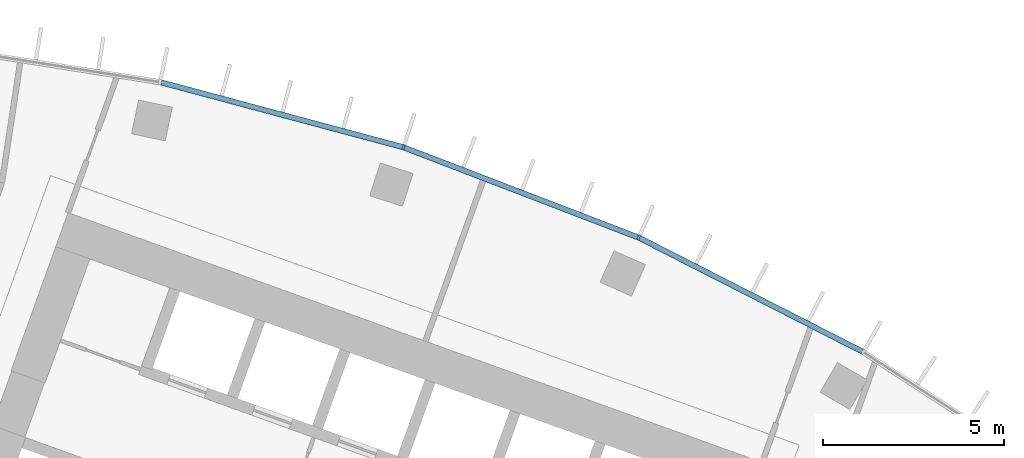
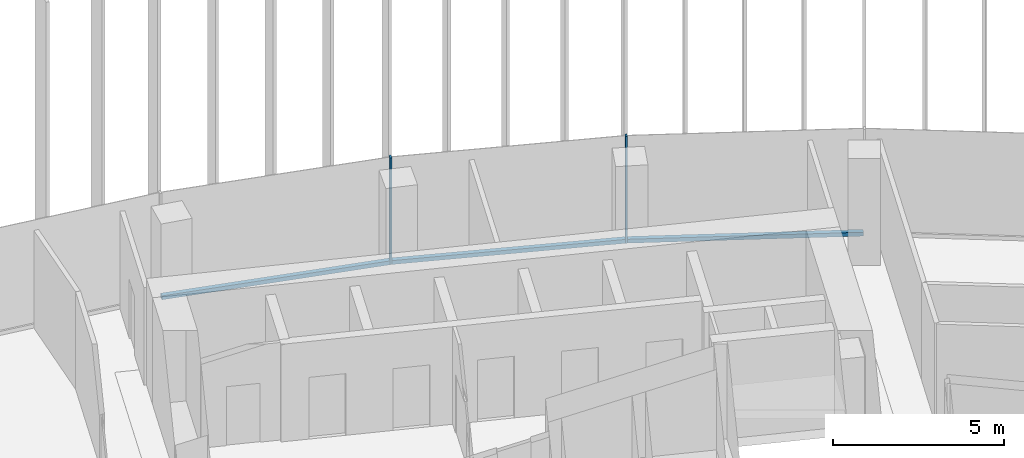
# One storey, part 9 of 20: 5 members, 1 element without a shape of its own.
"""IFC4 building model written with IfcOpenShell, lengths in metres."""

from ifc_helpers import new_model, si_unit, direction, frame, origin, origin_2d, place, context, subcontext, project, spatial, rectangle, extrude, material, layer, layer_set, material_profile, profile_set, type_object, element, aggregate, save


model = new_model("IFC4")

# Units and contexts
model_context = context("Model", 3, precision=1e-05, world=origin(), true_north=direction((0.0, 1.0)))
body_context = subcontext(model_context, "Body", "Model", "MODEL_VIEW")
ifc_project = project(units=[si_unit("LENGTHUNIT", "METRE"), si_unit("AREAUNIT", "SQUARE_METRE"), si_unit("VOLUMEUNIT", "CUBIC_METRE"), si_unit("PLANEANGLEUNIT", "RADIAN"), si_unit("MASSUNIT", "GRAM", prefix="KILO")], contexts=[model_context])

# Site, building, storey
site_placement = place(None, origin())
site = spatial("IfcSite", under=ifc_project, at=site_placement, CompositionType="ELEMENT")
building_placement = place(site_placement, origin())
building = spatial("IfcBuilding", under=site, at=building_placement, Name="Stone Belt Terrace Tower", CompositionType="ELEMENT")
storey_placement = place(building_placement, frame((0.0, 0.0, 201.0)))
storey = spatial("IfcBuildingStorey", under=building, at=storey_placement, Name="L48", CompositionType="ELEMENT", Elevation=201.0)

# Curtain wall, members
ifc_material = material(Name="Aluminium 6063-T6 anodised frame", Category="aluminium")
ifc_layer = layer(ifc_material, 0.14990234375)
ifc_layer_set = layer_set([ifc_layer], Name="CW-A unitised convex-face curtain wall")
curtain_wall_type = type_object("IfcCurtainWallType", Name="CW-A unitised convex-face curtain wall", PredefinedType="NOTDEFINED", material=ifc_layer_set)
curtain_wall_placement = place(storey_placement, origin())
curtain_wall = element("IfcCurtainWall", 1, at=curtain_wall_placement, inside=storey, type_object=curtain_wall_type, Name="CW-A convex face L48", PredefinedType="NOTDEFINED")
ifc_material_profile_1 = material_profile(ifc_material, rectangle(XDim=0.14990234375, YDim=0.06005859375, at=origin_2d()), Name="Aluminium 6063-T6 60x150")
ifc_profile_set_1 = profile_set([ifc_material_profile_1], Name="Aluminium 6063-T6 anodised frame")
member_type_1 = type_object("IfcMemberType", Name="CW-A mullion 60 x 150", PredefinedType="MULLION", material=ifc_profile_set_1)
member_1_placement = place(storey_placement, frame((27.07861328125, 60.8193359375, 0.0), z_axis=(0.0, 0.0, 1.0), x_axis=(-0.406736643076, -0.913545457643, 0.0)))
member_1 = element("IfcMember", 2, at=member_1_placement, type_object=member_type_1, Name="CW-A mullion 5", PredefinedType="MULLION", context=body_context, shape_type="SweptSolid", body=[
    extrude(rectangle(XDim=0.14990234375, YDim=0.06005859375, at=origin_2d()), origin(), (0.0, 0.0, 1.0), 3.800048828125),
])
member_2_placement = place(storey_placement, frame((20.57275390625, 63.316650390625, 0.0), z_axis=(0.0, 0.0, 1.0), x_axis=(-0.309016994375, -0.951056516295, 0.0)))
member_2 = element("IfcMember", 3, at=member_2_placement, type_object=member_type_1, Name="CW-A mullion 6", PredefinedType="MULLION", context=body_context, shape_type="SweptSolid", body=[
    extrude(rectangle(XDim=0.14990234375, YDim=0.06005859375, at=origin_2d()), origin(), (0.0, 0.0, 1.0), 3.800048828125),
])
ifc_material_profile_2 = material_profile(ifc_material, rectangle(XDim=0.14990234375, YDim=0.139892578125, at=origin_2d()), Name="Aluminium 6063-T6 150x140")
ifc_profile_set_2 = profile_set([ifc_material_profile_2], Name="Aluminium 6063-T6 anodised frame")
member_type_2 = type_object("IfcMemberType", Name="CW-A transom 140 x 150", PredefinedType="USERDEFINED", material=ifc_profile_set_2)
member_3_placement = place(storey_placement, frame((33.25732421875, 57.671142578125, 0.070068359375), z_axis=(-0.891012226264, 0.453979308613, 0.0), x_axis=(-0.453979308613, -0.891012226264, 0.0)))
member_3 = element("IfcMember", 4, at=member_3_placement, type_object=member_type_2, Name="CW-A transom 4.1", ObjectType="TRANSOM", PredefinedType="USERDEFINED", context=body_context, shape_type="SweptSolid", body=[
    extrude(rectangle(XDim=0.14990234375, YDim=0.139892578125, at=origin_2d()), origin(), (0.0, 0.0, 1.0), 6.90087890625),
])
member_4_placement = place(storey_placement, frame((27.046875, 60.83154296875, 0.070068359375), z_axis=(-0.933585210269, 0.358355487146, 0.0), x_axis=(-0.358355487146, -0.933585210269, 0.0)))
member_4 = element("IfcMember", 5, at=member_4_placement, type_object=member_type_2, Name="CW-A transom 5.1", ObjectType="TRANSOM", PredefinedType="USERDEFINED", context=body_context, shape_type="SweptSolid", body=[
    extrude(rectangle(XDim=0.14990234375, YDim=0.139892578125, at=origin_2d()), origin(), (0.0, 0.0, 1.0), 6.900634765625),
])
member_5_placement = place(storey_placement, frame((20.5400390625, 63.325439453125, 0.070068359375), z_axis=(-0.965921835863, 0.258833937117, 0.0), x_axis=(-0.258833937117, -0.965921835863, 0.0)))
member_5 = element("IfcMember", 6, at=member_5_placement, type_object=member_type_2, Name="CW-A transom 6.1", ObjectType="TRANSOM", PredefinedType="USERDEFINED", context=body_context, shape_type="SweptSolid", body=[
    extrude(rectangle(XDim=0.14990234375, YDim=0.139892578125, at=origin_2d()), origin(), (0.0, 0.0, 1.0), 6.900634765625),
])
aggregate(curtain_wall, [member_1, member_2, member_3, member_4, member_5])

save(model, "model.ifc")
